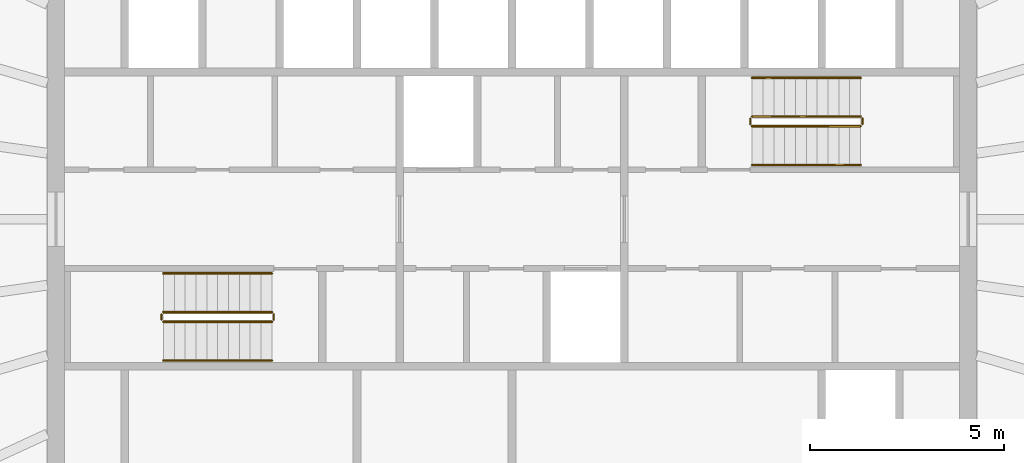
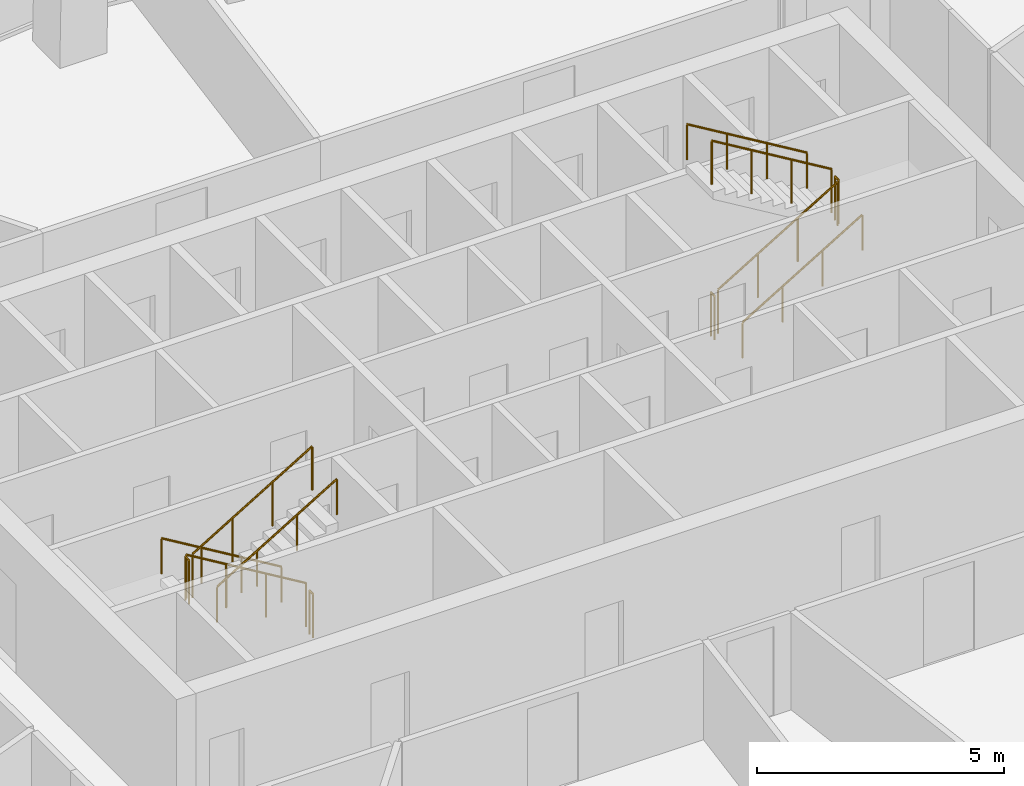
# One storey, part 11 of 11: 12 railings.
"""IFC4 building model written with IfcOpenShell, lengths in metres."""

from ifc_helpers import new_model, si_unit, direction, frame, origin, origin_2d, place, context, subcontext, project, spatial, circle, extrude, material, type_object, element, save


model = new_model("IFC4")

# Units and contexts
model_context = context("Model", 3, precision=1e-05, world=origin(), true_north=direction((0.0, 1.0)))
body_context = subcontext(model_context, "Body", "Model", "MODEL_VIEW")
ifc_project = project(units=[si_unit("LENGTHUNIT", "METRE"), si_unit("AREAUNIT", "SQUARE_METRE"), si_unit("VOLUMEUNIT", "CUBIC_METRE"), si_unit("PLANEANGLEUNIT", "RADIAN"), si_unit("MASSUNIT", "GRAM", prefix="KILO")], contexts=[model_context])

# Site, building, storey
site_placement = place(None, origin())
site = spatial("IfcSite", under=ifc_project, at=site_placement, CompositionType="ELEMENT")
building_placement = place(site_placement, origin())
building = spatial("IfcBuilding", under=site, at=building_placement, Name="Siaravel Broadcast Tower", CompositionType="ELEMENT")
storey_placement = place(building_placement, frame((0.0, 0.0, 183.0)))
storey = spatial("IfcBuildingStorey", under=building, at=storey_placement, Name="L44", CompositionType="ELEMENT", Elevation=183.0)

# Railings
ifc_material = material(Name="Stainless steel 316L", Category="steel")
railing_type_1 = type_object("IfcRailingType", Name="Stair guard 1100", PredefinedType="GUARDRAIL", material=ifc_material)
railing_1_placement = place(storey_placement, frame((-6.199951171875, -2.39990234375, 0.168212890625)))
element("IfcRailing", 1, at=railing_1_placement, inside=storey, type_object=railing_type_1, Name="L44 ST-1 stair guard 1", PredefinedType="GUARDRAIL", context=body_context, shape_type="SweptSolid", body=[
    extrude(circle(Radius=0.02392578125, at=origin_2d()), frame((0.0, 0.0, 1.076171875), z_axis=(-0.857242211, 0.0, 0.514913383), x_axis=(0.0, -1.0, 0.0)), (0.0, 0.0, 1.0), 3.266357421875),
    extrude(circle(Radius=0.02099609375, at=origin_2d()), origin(), (0.0, 0.0, 1.0), 1.052001953125),
    extrude(circle(Radius=0.02099609375, at=origin_2d()), frame((-0.933349609375, 0.0, 0.560546875)), (0.0, 0.0, 1.0), 1.052001953125),
    extrude(circle(Radius=0.02099609375, at=origin_2d()), frame((-1.86669921875, 0.0, 1.121337890625)), (0.0, 0.0, 1.0), 1.052001953125),
    extrude(circle(Radius=0.02099609375, at=origin_2d()), frame((-2.800048828125, 0.0, 1.681884765625)), (0.0, 0.0, 1.0), 1.052001953125),
])
railing_2_placement = place(storey_placement, frame((-9.050048828125, -2.449951171875, 1.85009765625)))
element("IfcRailing", 2, at=railing_2_placement, inside=storey, type_object=railing_type_1, Name="L44 ST-1 stair guard 2", PredefinedType="GUARDRAIL", context=body_context, shape_type="SweptSolid", body=[
    extrude(circle(Radius=0.02392578125, at=origin_2d()), frame((0.0, 0.0, 1.076171875), z_axis=(0.0, -1.0, 0.0), x_axis=(1.0, 0.0, 0.0)), (0.0, 0.0, 1.0), 0.150146484375),
    extrude(circle(Radius=0.02099609375, at=origin_2d()), origin(), (0.0, 0.0, 1.0), 1.052001953125),
    extrude(circle(Radius=0.02099609375, at=origin_2d()), frame((0.0, -0.150146484375, 0.0)), (0.0, 0.0, 1.0), 1.052001953125),
])
railing_3_placement = place(storey_placement, frame((-9.0, -2.64990234375, 2.01806640625)))
element("IfcRailing", 3, at=railing_3_placement, inside=storey, type_object=railing_type_1, Name="L44 ST-1 stair guard 3", PredefinedType="GUARDRAIL", context=body_context, shape_type="SweptSolid", body=[
    extrude(circle(Radius=0.02392578125, at=origin_2d()), frame((0.0, 0.0, 1.076171875), z_axis=(0.857242211, 0.0, 0.514913383), x_axis=(0.0, 1.0, 0.0)), (0.0, 0.0, 1.0), 3.266357421875),
    extrude(circle(Radius=0.02099609375, at=origin_2d()), origin(), (0.0, 0.0, 1.0), 1.052001953125),
    extrude(circle(Radius=0.02099609375, at=origin_2d()), frame((0.933349609375, 0.0, 0.560546875)), (0.0, 0.0, 1.0), 1.052001953125),
    extrude(circle(Radius=0.02099609375, at=origin_2d()), frame((1.86669921875, 0.0, 1.121337890625)), (0.0, 0.0, 1.0), 1.052001953125),
    extrude(circle(Radius=0.02099609375, at=origin_2d()), frame((2.800048828125, 0.0, 1.681884765625)), (0.0, 0.0, 1.0), 1.052001953125),
])
railing_4_placement = place(storey_placement, frame((-6.14990234375, -2.449951171875, 0.0)))
element("IfcRailing", 4, at=railing_4_placement, inside=storey, type_object=railing_type_1, Name="L44 ST-1 stair guard 4", PredefinedType="GUARDRAIL", context=body_context, shape_type="SweptSolid", body=[
    extrude(circle(Radius=0.02392578125, at=origin_2d()), frame((0.0, 0.0, 1.076171875), z_axis=(0.0, -1.0, 0.0), x_axis=(1.0, 0.0, 0.0)), (0.0, 0.0, 1.0), 0.150146484375),
    extrude(circle(Radius=0.02099609375, at=origin_2d()), origin(), (0.0, 0.0, 1.0), 1.052001953125),
    extrude(circle(Radius=0.02099609375, at=origin_2d()), frame((0.0, -0.150146484375, 0.0)), (0.0, 0.0, 1.0), 1.052001953125),
])
railing_5_placement = place(storey_placement, frame((6.199951171875, 2.39990234375, 0.168212890625)))
element("IfcRailing", 5, at=railing_5_placement, inside=storey, type_object=railing_type_1, Name="L44 ST-2 stair guard 1", PredefinedType="GUARDRAIL", context=body_context, shape_type="SweptSolid", body=[
    extrude(circle(Radius=0.02392578125, at=origin_2d()), frame((0.0, 0.0, 1.076171875), z_axis=(0.857242211, 0.0, 0.514913383), x_axis=(0.0, 1.0, 0.0)), (0.0, 0.0, 1.0), 3.266357421875),
    extrude(circle(Radius=0.02099609375, at=origin_2d()), origin(), (0.0, 0.0, 1.0), 1.052001953125),
    extrude(circle(Radius=0.02099609375, at=origin_2d()), frame((0.933349609375, 0.0, 0.560546875)), (0.0, 0.0, 1.0), 1.052001953125),
    extrude(circle(Radius=0.02099609375, at=origin_2d()), frame((1.86669921875, 0.0, 1.121337890625)), (0.0, 0.0, 1.0), 1.052001953125),
    extrude(circle(Radius=0.02099609375, at=origin_2d()), frame((2.800048828125, 0.0, 1.681884765625)), (0.0, 0.0, 1.0), 1.052001953125),
])
railing_6_placement = place(storey_placement, frame((9.050048828125, 2.449951171875, 1.85009765625)))
element("IfcRailing", 6, at=railing_6_placement, inside=storey, type_object=railing_type_1, Name="L44 ST-2 stair guard 2", PredefinedType="GUARDRAIL", context=body_context, shape_type="SweptSolid", body=[
    extrude(circle(Radius=0.02392578125, at=origin_2d()), frame((0.0, 0.0, 1.076171875), z_axis=(0.0, 1.0, 0.0), x_axis=(-1.0, 0.0, 0.0)), (0.0, 0.0, 1.0), 0.150146484375),
    extrude(circle(Radius=0.02099609375, at=origin_2d()), origin(), (0.0, 0.0, 1.0), 1.052001953125),
    extrude(circle(Radius=0.02099609375, at=origin_2d()), frame((0.0, 0.150146484375, 0.0)), (0.0, 0.0, 1.0), 1.052001953125),
])
railing_7_placement = place(storey_placement, frame((9.0, 2.64990234375, 2.01806640625)))
element("IfcRailing", 7, at=railing_7_placement, inside=storey, type_object=railing_type_1, Name="L44 ST-2 stair guard 3", PredefinedType="GUARDRAIL", context=body_context, shape_type="SweptSolid", body=[
    extrude(circle(Radius=0.02392578125, at=origin_2d()), frame((0.0, 0.0, 1.076171875), z_axis=(-0.857242211, 0.0, 0.514913383), x_axis=(0.0, -1.0, 0.0)), (0.0, 0.0, 1.0), 3.266357421875),
    extrude(circle(Radius=0.02099609375, at=origin_2d()), origin(), (0.0, 0.0, 1.0), 1.052001953125),
    extrude(circle(Radius=0.02099609375, at=origin_2d()), frame((-0.933349609375, 0.0, 0.560546875)), (0.0, 0.0, 1.0), 1.052001953125),
    extrude(circle(Radius=0.02099609375, at=origin_2d()), frame((-1.86669921875, 0.0, 1.121337890625)), (0.0, 0.0, 1.0), 1.052001953125),
    extrude(circle(Radius=0.02099609375, at=origin_2d()), frame((-2.800048828125, 0.0, 1.681884765625)), (0.0, 0.0, 1.0), 1.052001953125),
])
railing_8_placement = place(storey_placement, frame((6.14990234375, 2.449951171875, 0.0)))
element("IfcRailing", 8, at=railing_8_placement, inside=storey, type_object=railing_type_1, Name="L44 ST-2 stair guard 4", PredefinedType="GUARDRAIL", context=body_context, shape_type="SweptSolid", body=[
    extrude(circle(Radius=0.02392578125, at=origin_2d()), frame((0.0, 0.0, 1.076171875), z_axis=(0.0, 1.0, 0.0), x_axis=(-1.0, 0.0, 0.0)), (0.0, 0.0, 1.0), 0.150146484375),
    extrude(circle(Radius=0.02099609375, at=origin_2d()), origin(), (0.0, 0.0, 1.0), 1.052001953125),
    extrude(circle(Radius=0.02099609375, at=origin_2d()), frame((0.0, 0.150146484375, 0.0)), (0.0, 0.0, 1.0), 1.052001953125),
])
railing_type_2 = type_object("IfcRailingType", Name="Stair handrail 900", PredefinedType="HANDRAIL", material=ifc_material)
railing_9_placement = place(storey_placement, frame((-6.199951171875, -1.39990234375, 0.168212890625)))
element("IfcRailing", 9, at=railing_9_placement, inside=storey, type_object=railing_type_2, Name="L44 ST-1 stair handrail 1", PredefinedType="HANDRAIL", context=body_context, shape_type="SweptSolid", body=[
    extrude(circle(Radius=0.02392578125, at=origin_2d()), frame((0.0, 0.0, 0.8759765625), z_axis=(-0.857242211, 0.0, 0.514913383), x_axis=(0.0, -1.0, 0.0)), (0.0, 0.0, 1.0), 3.266357421875),
    extrude(circle(Radius=0.02099609375, at=origin_2d()), origin(), (0.0, 0.0, 1.0), 0.851806640625),
    extrude(circle(Radius=0.02099609375, at=origin_2d()), frame((-0.933349609375, 0.0, 0.560546875)), (0.0, 0.0, 1.0), 0.851806640625),
    extrude(circle(Radius=0.02099609375, at=origin_2d()), frame((-1.86669921875, 0.0, 1.121337890625)), (0.0, 0.0, 1.0), 0.851806640625),
    extrude(circle(Radius=0.02099609375, at=origin_2d()), frame((-2.800048828125, 0.0, 1.681884765625)), (0.0, 0.0, 1.0), 0.851806640625),
])
for number, where, name in (
    (10, (-9.0, -3.64990234375, 2.01806640625), "L44 ST-1 stair handrail 2"),
    (11, (6.199951171875, 1.39990234375, 0.168212890625), "L44 ST-2 stair handrail 1"),
):
    element("IfcRailing", number, at=place(storey_placement, frame(where)), inside=storey, type_object=railing_type_2, Name=name, PredefinedType="HANDRAIL", context=body_context, shape_type="SweptSolid", body=[
        extrude(circle(Radius=0.02392578125, at=origin_2d()), frame((0.0, 0.0, 0.8759765625), z_axis=(0.857242211, 0.0, 0.514913383), x_axis=(0.0, 1.0, 0.0)), (0.0, 0.0, 1.0), 3.266357421875),
        extrude(circle(Radius=0.02099609375, at=origin_2d()), origin(), (0.0, 0.0, 1.0), 0.851806640625),
        extrude(circle(Radius=0.02099609375, at=origin_2d()), frame((0.933349609375, 0.0, 0.560546875)), (0.0, 0.0, 1.0), 0.851806640625),
        extrude(circle(Radius=0.02099609375, at=origin_2d()), frame((1.86669921875, 0.0, 1.121337890625)), (0.0, 0.0, 1.0), 0.851806640625),
        extrude(circle(Radius=0.02099609375, at=origin_2d()), frame((2.800048828125, 0.0, 1.681884765625)), (0.0, 0.0, 1.0), 0.851806640625),
    ])
railing_10_placement = place(storey_placement, frame((9.0, 3.64990234375, 2.01806640625)))
element("IfcRailing", 12, at=railing_10_placement, inside=storey, type_object=railing_type_2, Name="L44 ST-2 stair handrail 2", PredefinedType="HANDRAIL", context=body_context, shape_type="SweptSolid", body=[
    extrude(circle(Radius=0.02392578125, at=origin_2d()), frame((0.0, 0.0, 0.8759765625), z_axis=(-0.857242211, 0.0, 0.514913383), x_axis=(0.0, -1.0, 0.0)), (0.0, 0.0, 1.0), 3.266357421875),
    extrude(circle(Radius=0.02099609375, at=origin_2d()), origin(), (0.0, 0.0, 1.0), 0.851806640625),
    extrude(circle(Radius=0.02099609375, at=origin_2d()), frame((-0.933349609375, 0.0, 0.560546875)), (0.0, 0.0, 1.0), 0.851806640625),
    extrude(circle(Radius=0.02099609375, at=origin_2d()), frame((-1.86669921875, 0.0, 1.121337890625)), (0.0, 0.0, 1.0), 0.851806640625),
    extrude(circle(Radius=0.02099609375, at=origin_2d()), frame((-2.800048828125, 0.0, 1.681884765625)), (0.0, 0.0, 1.0), 0.851806640625),
])

save(model, "model.ifc")
